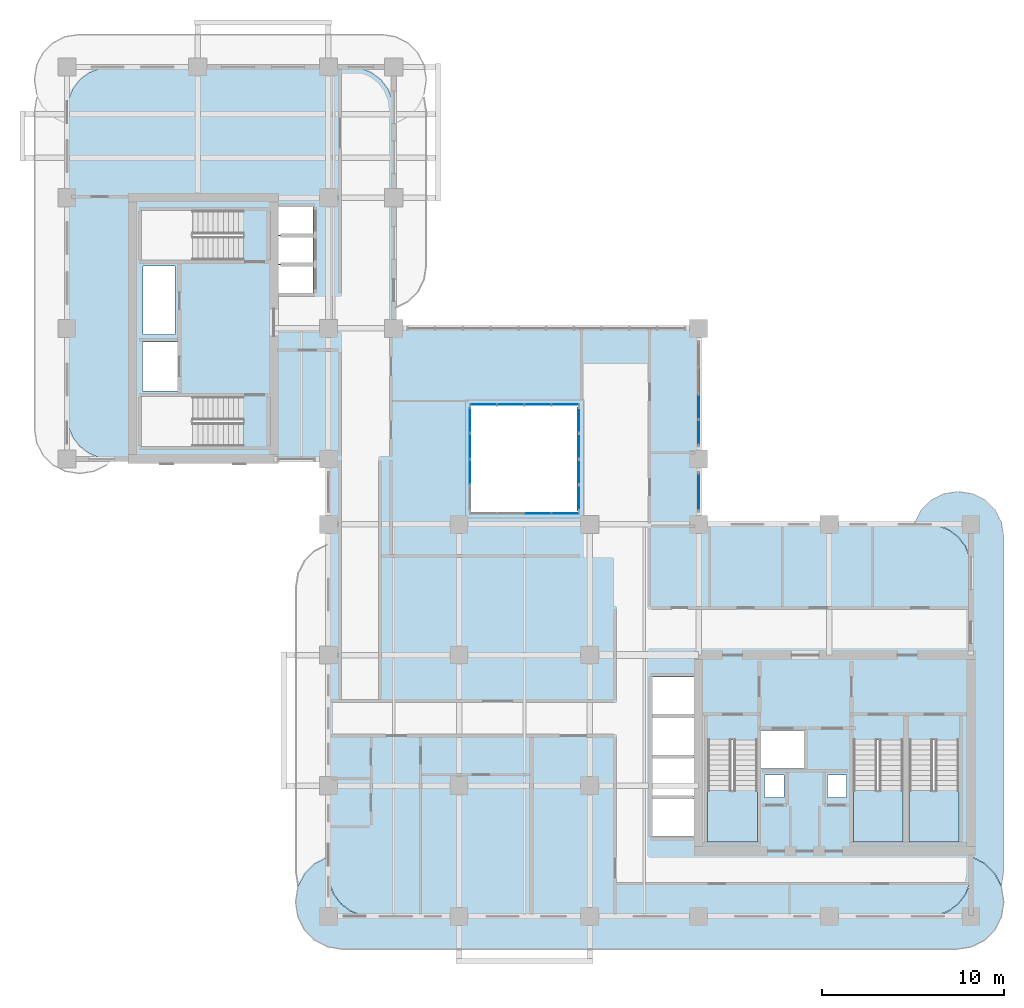
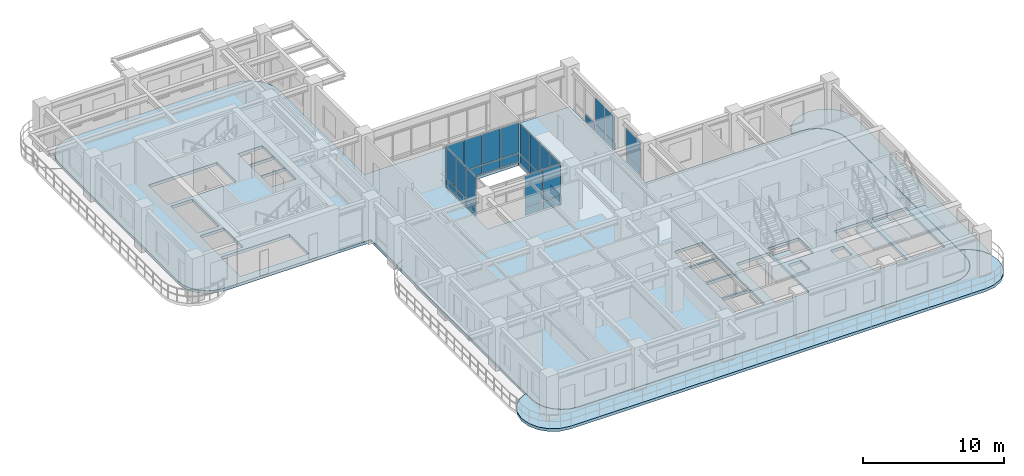
# One storey, part 9 of 19: 33 plates, 6 slabs, 9 elements without a shape of their own.
"""IFC4 building model written with IfcOpenShell, lengths in metres."""

from ifc_helpers import new_model, si_unit, derived_unit, direction, frame, origin, origin_2d, place, context, subcontext, project, spatial, polyline, rectangle, outline, extrude, source, transform, mapped, material, layer, layer_set, type_object, element, aggregate, save


model = new_model("IFC4")

# Units and contexts
model_context = context("Model", 3, precision=1e-05, world=origin(), true_north=direction((0.0, 1.0)))
body_context = subcontext(model_context, "Body", "Model", "MODEL_VIEW")
ifc_project = project(units=[si_unit("LENGTHUNIT", "METRE"), si_unit("AREAUNIT", "SQUARE_METRE"), si_unit("VOLUMEUNIT", "CUBIC_METRE"), si_unit("PLANEANGLEUNIT", "RADIAN"), si_unit("MASSUNIT", "GRAM", prefix="KILO"), si_unit("THERMODYNAMICTEMPERATUREUNIT", "KELVIN"), si_unit("POWERUNIT", "WATT"), derived_unit("THERMALTRANSMITTANCEUNIT", [(si_unit("POWERUNIT", "WATT"), 1), (si_unit("AREAUNIT", "SQUARE_METRE"), -1), (si_unit("THERMODYNAMICTEMPERATUREUNIT", "KELVIN"), -1)])], contexts=[model_context])

# Site, building, storey
site_placement = place(None, origin())
site = spatial("IfcSite", under=ifc_project, at=site_placement, CompositionType="ELEMENT")
building_placement = place(site_placement, origin())
building = spatial("IfcBuilding", under=site, at=building_placement, Name="Zahravan Archway Hotel and Residences", CompositionType="ELEMENT")
storey_placement = place(building_placement, frame((0.0, 0.0, 158.0)))
storey = spatial("IfcBuildingStorey", under=building, at=storey_placement, Name="L39", CompositionType="ELEMENT", Elevation=158.0)

# Slabs
ifc_material_1 = material(Name="Concrete C45/55", Category="concrete")
ifc_layer_1 = layer(ifc_material_1, 0.25, Name="Concrete C45/55", Category="concrete")
ifc_layer_set_1 = layer_set([ifc_layer_1], Name="Concrete C45/55")
slab_type_1 = type_object("IfcSlabType", Name="SLB-BALC-250", PredefinedType="FLOOR", material=ifc_layer_set_1)
slab_1_placement = place(storey_placement, frame((0.0, 0.0, -0.25)))
element("IfcSlab", 1, at=slab_1_placement, inside=storey, type_object=slab_type_1, Name="L39 Wing A South Rounded Balcony Band", PredefinedType="FLOOR", context=body_context, shape_type="SweptSolid", body=[
    extrude(outline(polyline([(49.837890625, 3.275146484375), (50.548828125, 2.9130859375), (51.113037109375, 2.348876953125), (51.47509765625, 1.637939453125), (51.60009765625, 0.85009765625), (51.60009765625, 0.75), (51.47509765625, -0.0380859375), (51.113037109375, -0.748779296875), (50.548828125, -1.31298828125), (49.837890625, -1.67529296875), (49.050048828125, -1.800048828125), (15.14990234375, -1.800048828125), (14.362060546875, -1.67529296875), (13.651123046875, -1.31298828125), (13.0869140625, -0.748779296875), (12.724853515625, -0.0380859375), (12.60009765625, 0.75), (12.60009765625, 0.85009765625), (12.724853515625, 1.637939453125), (13.0869140625, 2.348876953125), (13.651123046875, 2.9130859375), (14.362060546875, 3.275146484375), (14.3798828125, 3.278076171875), (14.3798828125, 2.39990234375), (14.380126953125, 2.3974609375), (14.4619140625, 1.776123046875), (14.46240234375, 1.7744140625), (14.462646484375, 1.772705078125), (14.46337890625, 1.77099609375), (14.702880859375, 1.1923828125), (14.703857421875, 1.19091796875), (14.70458984375, 1.189208984375), (14.70556640625, 1.187744140625), (15.0869140625, 0.690673828125), (15.088134765625, 0.689453125), (15.08935546875, 0.688232421875), (15.0908203125, 0.68701171875), (15.587890625, 0.3056640625), (15.58935546875, 0.3046875), (15.5908203125, 0.3037109375), (15.59228515625, 0.302978515625), (16.171142578125, 0.063232421875), (16.1728515625, 0.062744140625), (16.174560546875, 0.062255859375), (16.17626953125, 0.06201171875), (16.79736328125, -0.019775390625), (16.800048828125, -0.02001953125), (47.39990234375, -0.02001953125), (47.402587890625, -0.019775390625), (48.023681640625, 0.06201171875), (48.025390625, 0.062255859375), (48.027099609375, 0.062744140625), (48.02880859375, 0.063232421875), (48.607666015625, 0.302978515625), (48.609130859375, 0.3037109375), (48.610595703125, 0.3046875), (48.6123046875, 0.3056640625), (49.109375, 0.68701171875), (49.110595703125, 0.688232421875), (49.11181640625, 0.689453125), (49.113037109375, 0.690673828125), (49.494384765625, 1.187744140625), (49.495361328125, 1.189208984375), (49.49609375, 1.19091796875), (49.4970703125, 1.1923828125), (49.73681640625, 1.77099609375), (49.7373046875, 1.772705078125), (49.73779296875, 1.7744140625), (49.738037109375, 1.776123046875), (49.81982421875, 2.3974609375), (49.820068359375, 2.39990234375), (49.820068359375, 3.278076171875), (49.837890625, 3.275146484375)])), origin(), (0.0, 0.0, 1.0), 0.25),
])
slab_2_placement = place(storey_placement, frame((0.0, 0.0, -0.25)))
element("IfcSlab", 2, at=slab_2_placement, inside=storey, type_object=slab_type_1, Name="L39 Wing A East Rounded Balcony Band", PredefinedType="FLOOR", context=body_context, shape_type="SweptSolid", body=[
    extrude(outline(polyline([(46.719970703125, 21.70703125), (47.06787109375, 22.39013671875), (47.60986328125, 22.93212890625), (48.29296875, 23.280029296875), (49.050048828125, 23.39990234375), (49.14990234375, 23.39990234375), (49.906982421875, 23.280029296875), (50.590087890625, 22.93212890625), (51.132080078125, 22.39013671875), (51.47998046875, 21.70703125), (51.60009765625, 20.949951171875), (51.60009765625, 2.449951171875), (51.47998046875, 1.69287109375), (51.474853515625, 1.6826171875), (51.130859375, 2.35791015625), (51.1298828125, 2.35986328125), (51.12841796875, 2.361572265625), (51.127197265625, 2.363037109375), (50.56298828125, 2.927001953125), (50.5615234375, 2.928466796875), (50.559814453125, 2.9296875), (50.55810546875, 2.930908203125), (49.84716796875, 3.29296875), (49.84521484375, 3.2939453125), (49.84326171875, 3.29443359375), (49.841064453125, 3.294921875), (49.822998046875, 3.2978515625), (49.8212890625, 3.298095703125), (49.820068359375, 3.298095703125), (49.820068359375, 19.199951171875), (49.81982421875, 19.20263671875), (49.738037109375, 19.82373046875), (49.73779296875, 19.825439453125), (49.7373046875, 19.8271484375), (49.73681640625, 19.828857421875), (49.4970703125, 20.40771484375), (49.49609375, 20.4091796875), (49.495361328125, 20.41064453125), (49.494384765625, 20.412109375), (49.113037109375, 20.9091796875), (49.11181640625, 20.91064453125), (49.110595703125, 20.911865234375), (49.109375, 20.9130859375), (48.6123046875, 21.29443359375), (48.610595703125, 21.29541015625), (48.609130859375, 21.296142578125), (48.607666015625, 21.297119140625), (48.02880859375, 21.53662109375), (48.027099609375, 21.537353515625), (48.025390625, 21.53759765625), (48.023681640625, 21.5380859375), (47.402587890625, 21.619873046875), (47.39990234375, 21.6201171875), (46.7060546875, 21.6201171875), (46.719970703125, 21.70703125)])), origin(), (0.0, 0.0, 1.0), 0.25),
])
ifc_layer_2 = layer(ifc_material_1, 0.25, Name="Concrete C45/55", Category="concrete")
ifc_layer_set_2 = layer_set([ifc_layer_2], Name="Concrete C45/55")
slab_type_2 = type_object("IfcSlabType", Name="SLB-FLR-250", PredefinedType="FLOOR", material=ifc_layer_set_2)
slab_3_placement = place(storey_placement, frame((0.0, 0.0, -0.25)))
element("IfcSlab", 3, at=slab_3_placement, inside=storey, type_object=slab_type_2, Name="L39 Floor Slab LB", PredefinedType="FLOOR", context=body_context, shape_type="SweptSolid", body=[
    extrude(outline(polyline([(34.800048828125, 21.60009765625), (34.800048828125, 32.39990234375), (18.0, 32.39990234375), (18.0, 44.39990234375), (17.918212890625, 45.021240234375), (17.678466796875, 45.60009765625), (17.297119140625, 46.09716796875), (16.800048828125, 46.478515625), (16.22119140625, 46.71826171875), (15.60009765625, 46.800048828125), (2.39990234375, 46.800048828125), (1.77880859375, 46.71826171875), (1.199951171875, 46.478515625), (0.702880859375, 46.09716796875), (0.321533203125, 45.60009765625), (0.081787109375, 45.021240234375), (0.0, 44.39990234375), (0.0, 27.60009765625), (0.081787109375, 26.978759765625), (0.321533203125, 26.39990234375), (0.702880859375, 25.90283203125), (1.199951171875, 25.521484375), (1.77880859375, 25.28173828125), (2.39990234375, 25.199951171875), (14.39990234375, 25.199951171875), (14.39990234375, 19.199951171875), (14.39990234375, 19.10009765625), (14.39990234375, 2.39990234375), (14.481689453125, 1.77880859375), (14.721435546875, 1.199951171875), (15.102783203125, 0.702880859375), (15.60009765625, 0.321533203125), (16.1787109375, 0.081787109375), (16.800048828125, 0.0), (47.39990234375, 0.0), (48.021240234375, 0.081787109375), (48.60009765625, 0.321533203125), (49.09716796875, 0.702880859375), (49.478515625, 1.199951171875), (49.71826171875, 1.77880859375), (49.800048828125, 2.39990234375), (49.800048828125, 19.199951171875), (49.71826171875, 19.8212890625), (49.478515625, 20.39990234375), (49.09716796875, 20.897216796875), (48.60009765625, 21.278564453125), (48.021240234375, 21.518310546875), (47.39990234375, 21.60009765625), (34.800048828125, 21.60009765625)]), holes=[polyline([(35.300048828125, 9.72998046875), (35.300048828125, 4.10009765625), (38.0400390625, 4.10009765625), (38.0400390625, 9.72998046875), (35.300048828125, 9.72998046875)]), polyline([(43.320068359375, 9.72998046875), (43.320068359375, 4.10009765625), (46.06005859375, 4.10009765625), (46.06005859375, 9.72998046875), (43.320068359375, 9.72998046875)]), polyline([(46.39990234375, 9.72998046875), (46.39990234375, 4.10009765625), (49.139892578125, 4.10009765625), (49.139892578125, 9.72998046875), (46.39990234375, 9.72998046875)]), polyline([(9.72998046875, 28.639892578125), (4.10009765625, 28.639892578125), (4.10009765625, 25.89990234375), (9.72998046875, 25.89990234375), (9.72998046875, 28.639892578125)]), polyline([(9.72998046875, 38.89990234375), (4.10009765625, 38.89990234375), (4.10009765625, 36.159912109375), (9.72998046875, 36.159912109375), (9.72998046875, 38.89990234375)]), polyline([(38.179931640625, 8.14990234375), (40.699951171875, 8.14990234375), (40.699951171875, 10.25), (38.179931640625, 10.25), (38.179931640625, 8.14990234375)]), polyline([(4.14990234375, 28.949951171875), (6.10009765625, 28.949951171875), (6.10009765625, 31.64990234375), (4.14990234375, 31.64990234375), (4.14990234375, 28.949951171875)]), polyline([(11.550048828125, 34.35009765625), (13.550048828125, 34.35009765625), (13.550048828125, 35.889892578125), (11.550048828125, 35.889892578125), (11.550048828125, 34.35009765625)]), polyline([(11.550048828125, 35.949951171875), (13.550048828125, 35.949951171875), (13.550048828125, 37.489990234375), (11.550048828125, 37.489990234375), (11.550048828125, 35.949951171875)]), polyline([(11.550048828125, 37.550048828125), (13.550048828125, 37.550048828125), (13.550048828125, 39.090087890625), (11.550048828125, 39.090087890625), (11.550048828125, 37.550048828125)]), polyline([(32.25, 4.39990234375), (34.550048828125, 4.39990234375), (34.550048828125, 6.47998046875), (32.25, 6.47998046875), (32.25, 4.39990234375)]), polyline([(32.25, 6.639892578125), (34.550048828125, 6.639892578125), (34.550048828125, 8.719970703125), (32.25, 8.719970703125), (32.25, 6.639892578125)]), polyline([(32.25, 8.8798828125), (34.550048828125, 8.8798828125), (34.550048828125, 10.9599609375), (32.25, 10.9599609375), (32.25, 8.8798828125)]), polyline([(32.25, 11.1201171875), (34.550048828125, 11.1201171875), (34.550048828125, 13.199951171875), (32.25, 13.199951171875), (32.25, 11.1201171875)]), polyline([(22.199951171875, 22.199951171875), (28.199951171875, 22.199951171875), (28.199951171875, 28.199951171875), (22.199951171875, 28.199951171875), (22.199951171875, 22.199951171875)]), polyline([(38.419921875, 6.56005859375), (39.5, 6.56005859375), (39.5, 7.780029296875), (38.419921875, 7.780029296875), (38.419921875, 6.56005859375)]), polyline([(41.89990234375, 6.56005859375), (42.9599609375, 6.56005859375), (42.9599609375, 7.780029296875), (41.89990234375, 7.780029296875), (41.89990234375, 6.56005859375)]), polyline([(4.179931640625, 32.050048828125), (5.93994140625, 32.050048828125), (5.93994140625, 35.840087890625), (4.179931640625, 35.840087890625), (4.179931640625, 32.050048828125)])]), origin(), (0.0, 0.0, 1.0), 0.25),
])

# Stair, slab
ifc_material_2 = material(Name="Concrete C50/60", Category="concrete")
stair_type = type_object("IfcStairType", Name="STR-CORE-1300", PredefinedType="HALF_TURN_STAIR", material=ifc_material_2)
stair_1_placement = place(storey_placement, origin())
stair_1 = element("IfcStair", 4, at=stair_1_placement, inside=storey, type_object=stair_type, Name="L39 Core A Exit Stair 1", PredefinedType="HALF_TURN_STAIR")
ifc_layer_3 = layer(ifc_material_2, 0.199951171875, Name="Concrete C50/60", Category="concrete")
ifc_layer_set_3 = layer_set([ifc_layer_3], Name="Concrete C50/60")
slab_type_3 = type_object("IfcSlabType", Name="SLB-LND-200", PredefinedType="LANDING", material=ifc_layer_set_3)
slab_4_placement = place(storey_placement, frame((0.0, 0.0, 1.72509765625)))
slab_4 = element("IfcSlab", 5, at=slab_4_placement, type_object=slab_type_3, Name="ST-A1 landing 1", PredefinedType="LANDING", context=body_context, shape_type="SweptSolid", body=[
    extrude(outline(polyline([(35.300048828125, 6.929931640625), (35.300048828125, 4.10009765625), (38.0400390625, 4.10009765625), (38.0400390625, 6.929931640625), (35.300048828125, 6.929931640625)])), origin(), (0.0, 0.0, 1.0), 0.199951171875),
])
aggregate(stair_1, [slab_4])

stair_2_placement = place(storey_placement, origin())
stair_2 = element("IfcStair", 6, at=stair_2_placement, inside=storey, type_object=stair_type, Name="L39 Core A Exit Stair 2", PredefinedType="HALF_TURN_STAIR")
slab_5_placement = place(storey_placement, frame((0.0, 0.0, 1.72509765625)))
slab_5 = element("IfcSlab", 7, at=slab_5_placement, type_object=slab_type_3, Name="ST-A2 landing 1", PredefinedType="LANDING", context=body_context, shape_type="SweptSolid", body=[
    extrude(outline(polyline([(43.320068359375, 6.929931640625), (43.320068359375, 4.10009765625), (46.06005859375, 4.10009765625), (46.06005859375, 6.929931640625), (43.320068359375, 6.929931640625)])), origin(), (0.0, 0.0, 1.0), 0.199951171875),
])
aggregate(stair_2, [slab_5])

stair_3_placement = place(storey_placement, origin())
stair_3 = element("IfcStair", 8, at=stair_3_placement, inside=storey, type_object=stair_type, Name="L39 Core A Exit Stair 3", PredefinedType="HALF_TURN_STAIR")
slab_6_placement = place(storey_placement, frame((0.0, 0.0, 1.72509765625)))
slab_6 = element("IfcSlab", 9, at=slab_6_placement, type_object=slab_type_3, Name="ST-A3 landing 1", PredefinedType="LANDING", context=body_context, shape_type="SweptSolid", body=[
    extrude(outline(polyline([(46.39990234375, 6.929931640625), (46.39990234375, 4.10009765625), (49.139892578125, 4.10009765625), (49.139892578125, 6.929931640625), (46.39990234375, 6.929931640625)])), origin(), (0.0, 0.0, 1.0), 0.199951171875),
])
aggregate(stair_3, [slab_6])

# Curtain wall, plates
ifc_material_3 = material(Name="Bronze-Anodized Unitised Aluminium & Low-E Glass", Category="aluminium")
ifc_layer_4 = layer(ifc_material_3, 0.179931640625, Name="Bronze-Anodized Unitised Aluminium & Low-E Glass", Category="aluminium")
ifc_layer_set_4 = layer_set([ifc_layer_4], Name="Bronze-Anodized Unitised Aluminium & Low-E Glass")
curtain_wall_type = type_object("IfcCurtainWallType", Name="CW-ATR-GLAZ", PredefinedType="NOTDEFINED", material=ifc_layer_set_4)
curtain_wall_1_placement = place(storey_placement, origin())
curtain_wall_1 = element("IfcCurtainWall", 10, at=curtain_wall_1_placement, inside=storey, type_object=curtain_wall_type, Name="L39 Curtain Wall CW-ATR-L39-S-1", PredefinedType="NOTDEFINED")
ifc_material_4 = material(Name="Insulated Terracotta Spandrel Panel", Category="masonry")
ifc_layer_5 = layer(ifc_material_4, 0.0400390625, Name="Insulated Terracotta Spandrel Panel", Category="masonry")
ifc_layer_set_5 = layer_set([ifc_layer_5], Name="Insulated Terracotta Spandrel Panel")
plate_type_1 = type_object("IfcPlateType", Name="CWP-SPN-40", PredefinedType="SHEET", material=ifc_layer_set_5)
shared_shape_1 = source(origin(), body_context, "Body", "SweptSolid", [
    extrude(rectangle(XDim=1.419921875, YDim=0.0400390625, at=origin_2d()), origin(), (0.0, 0.0, 1.0), 0.7099609375),
])
plate_1_placement = place(storey_placement, frame((25.949951171875, 22.199951171875, 0.10009765625), z_axis=(0.0, 0.0, 1.0), x_axis=(1.0, 0.0, 0.0)))
plate_1 = element("IfcPlate", 11, at=plate_1_placement, type_object=plate_type_1, Name="CW-ATR-L39-S-1 Spandrel Panel 2", PredefinedType="SHEET", context=body_context, shape_type="MappedRepresentation", body=[
    mapped(shared_shape_1, transform((0.0, 0.0, 0.0), scale=1.0)),
])
plate_2_placement = place(storey_placement, frame((27.449951171875, 22.199951171875, 0.10009765625), z_axis=(0.0, 0.0, 1.0), x_axis=(1.0, 0.0, 0.0)))
plate_2 = element("IfcPlate", 12, at=plate_2_placement, type_object=plate_type_1, Name="CW-ATR-L39-S-1 Spandrel Panel 3", PredefinedType="SHEET", context=body_context, shape_type="MappedRepresentation", body=[
    mapped(shared_shape_1, transform((0.0, 0.0, 0.0), scale=1.0)),
])

curtain_wall_2_placement = place(storey_placement, origin())
curtain_wall_2 = element("IfcCurtainWall", 13, at=curtain_wall_2_placement, inside=storey, type_object=curtain_wall_type, Name="L39 Curtain Wall CW-ATR-L39-N-1", PredefinedType="NOTDEFINED")
plate_3_placement = place(storey_placement, frame((22.949951171875, 28.199951171875, 0.10009765625), z_axis=(0.0, 0.0, 1.0), x_axis=(1.0, 0.0, 0.0)))
plate_3 = element("IfcPlate", 14, at=plate_3_placement, type_object=plate_type_1, Name="CW-ATR-L39-N-1 Spandrel Panel 0", PredefinedType="SHEET", context=body_context, shape_type="MappedRepresentation", body=[
    mapped(shared_shape_1, transform((0.0, 0.0, 0.0), scale=1.0)),
])
plate_4_placement = place(storey_placement, frame((24.449951171875, 28.199951171875, 0.10009765625), z_axis=(0.0, 0.0, 1.0), x_axis=(1.0, 0.0, 0.0)))
plate_4 = element("IfcPlate", 15, at=plate_4_placement, type_object=plate_type_1, Name="CW-ATR-L39-N-1 Spandrel Panel 1", PredefinedType="SHEET", context=body_context, shape_type="MappedRepresentation", body=[
    mapped(shared_shape_1, transform((0.0, 0.0, 0.0), scale=1.0)),
])
plate_5_placement = place(storey_placement, frame((25.949951171875, 28.199951171875, 0.10009765625), z_axis=(0.0, 0.0, 1.0), x_axis=(1.0, 0.0, 0.0)))
plate_5 = element("IfcPlate", 16, at=plate_5_placement, type_object=plate_type_1, Name="CW-ATR-L39-N-1 Spandrel Panel 2", PredefinedType="SHEET", context=body_context, shape_type="MappedRepresentation", body=[
    mapped(shared_shape_1, transform((0.0, 0.0, 0.0), scale=1.0)),
])
plate_6_placement = place(storey_placement, frame((27.449951171875, 28.199951171875, 0.10009765625), z_axis=(0.0, 0.0, 1.0), x_axis=(1.0, 0.0, 0.0)))
plate_6 = element("IfcPlate", 17, at=plate_6_placement, type_object=plate_type_1, Name="CW-ATR-L39-N-1 Spandrel Panel 3", PredefinedType="SHEET", context=body_context, shape_type="MappedRepresentation", body=[
    mapped(shared_shape_1, transform((0.0, 0.0, 0.0), scale=1.0)),
])

curtain_wall_3_placement = place(storey_placement, origin())
curtain_wall_3 = element("IfcCurtainWall", 18, at=curtain_wall_3_placement, inside=storey, type_object=curtain_wall_type, Name="L39 Curtain Wall CW-ATR-L39-W-1", PredefinedType="NOTDEFINED")
shared_shape_2 = source(origin(), body_context, "Body", "SweptSolid", [
    extrude(rectangle(XDim=1.344970703125, YDim=0.0400390625, at=origin_2d()), origin(), (0.0, 0.0, 1.0), 0.7099609375),
])
plate_7_placement = place(storey_placement, frame((22.199951171875, 24.487548828125, 0.10009765625), z_axis=(0.0, 0.0, 1.0), x_axis=(0.0, 1.0, 0.0)))
plate_7 = element("IfcPlate", 19, at=plate_7_placement, type_object=plate_type_1, Name="CW-ATR-L39-W-1 Spandrel Panel 1", PredefinedType="SHEET", context=body_context, shape_type="MappedRepresentation", body=[
    mapped(shared_shape_2, transform((0.0, 0.0, 0.0), scale=1.0)),
])
plate_8_placement = place(storey_placement, frame((22.199951171875, 25.91259765625, 0.10009765625), z_axis=(0.0, 0.0, 1.0), x_axis=(0.0, 1.0, 0.0)))
plate_8 = element("IfcPlate", 20, at=plate_8_placement, type_object=plate_type_1, Name="CW-ATR-L39-W-1 Spandrel Panel 2", PredefinedType="SHEET", context=body_context, shape_type="MappedRepresentation", body=[
    mapped(shared_shape_2, transform((0.0, 0.0, 0.0), scale=1.0)),
])
plate_9_placement = place(storey_placement, frame((22.199951171875, 27.33740234375, 0.10009765625), z_axis=(0.0, 0.0, 1.0), x_axis=(0.0, 1.0, 0.0)))
plate_9 = element("IfcPlate", 21, at=plate_9_placement, type_object=plate_type_1, Name="CW-ATR-L39-W-1 Spandrel Panel 3", PredefinedType="SHEET", context=body_context, shape_type="MappedRepresentation", body=[
    mapped(shared_shape_2, transform((0.0, 0.0, 0.0), scale=1.0)),
])

curtain_wall_4_placement = place(storey_placement, origin())
curtain_wall_4 = element("IfcCurtainWall", 22, at=curtain_wall_4_placement, inside=storey, type_object=curtain_wall_type, Name="L39 Curtain Wall CW-ATR-L39-E-1", PredefinedType="NOTDEFINED")
plate_10_placement = place(storey_placement, frame((28.199951171875, 23.0625, 0.10009765625), z_axis=(0.0, 0.0, 1.0), x_axis=(0.0, 1.0, 0.0)))
plate_10 = element("IfcPlate", 23, at=plate_10_placement, type_object=plate_type_1, Name="CW-ATR-L39-E-1 Spandrel Panel 0", PredefinedType="SHEET", context=body_context, shape_type="MappedRepresentation", body=[
    mapped(shared_shape_2, transform((0.0, 0.0, 0.0), scale=1.0)),
])
plate_11_placement = place(storey_placement, frame((28.199951171875, 24.487548828125, 0.10009765625), z_axis=(0.0, 0.0, 1.0), x_axis=(0.0, 1.0, 0.0)))
plate_11 = element("IfcPlate", 24, at=plate_11_placement, type_object=plate_type_1, Name="CW-ATR-L39-E-1 Spandrel Panel 1", PredefinedType="SHEET", context=body_context, shape_type="MappedRepresentation", body=[
    mapped(shared_shape_2, transform((0.0, 0.0, 0.0), scale=1.0)),
])
plate_12_placement = place(storey_placement, frame((28.199951171875, 25.91259765625, 0.10009765625), z_axis=(0.0, 0.0, 1.0), x_axis=(0.0, 1.0, 0.0)))
plate_12 = element("IfcPlate", 25, at=plate_12_placement, type_object=plate_type_1, Name="CW-ATR-L39-E-1 Spandrel Panel 2", PredefinedType="SHEET", context=body_context, shape_type="MappedRepresentation", body=[
    mapped(shared_shape_2, transform((0.0, 0.0, 0.0), scale=1.0)),
])
plate_13_placement = place(storey_placement, frame((28.199951171875, 27.33740234375, 0.10009765625), z_axis=(0.0, 0.0, 1.0), x_axis=(0.0, 1.0, 0.0)))
plate_13 = element("IfcPlate", 26, at=plate_13_placement, type_object=plate_type_1, Name="CW-ATR-L39-E-1 Spandrel Panel 3", PredefinedType="SHEET", context=body_context, shape_type="MappedRepresentation", body=[
    mapped(shared_shape_2, transform((0.0, 0.0, 0.0), scale=1.0)),
])

curtain_wall_5_placement = place(storey_placement, origin())
curtain_wall_5 = element("IfcCurtainWall", 27, at=curtain_wall_5_placement, inside=storey, type_object=curtain_wall_type, Name="L39 Curtain Wall CW-L39-HNG-E-1", PredefinedType="NOTDEFINED")
shared_shape_3 = source(origin(), body_context, "Body", "SweptSolid", [
    extrude(rectangle(XDim=2.0, YDim=0.0400390625, at=origin_2d()), origin(), (0.0, 0.0, 1.0), 0.600341796875),
])
plate_14_placement = place(storey_placement, frame((34.800048828125, 23.39990234375, 0.10009765625), z_axis=(0.0, 0.0, 1.0), x_axis=(0.0, 1.0, 0.0)))
plate_14 = element("IfcPlate", 28, at=plate_14_placement, type_object=plate_type_1, Name="CW-L39-HNG-E-1 Spandrel Panel 0", PredefinedType="SHEET", context=body_context, shape_type="MappedRepresentation", body=[
    mapped(shared_shape_3, transform((0.0, 0.0, 0.0), scale=1.0)),
])
ifc_material_5 = material(Name="Double-Silver Low-E Insulated Vision Glass", Category="glass")
ifc_layer_6 = layer(ifc_material_5, 0.028076171875, Name="Double-Silver Low-E Insulated Vision Glass", Category="glass")
ifc_layer_set_6 = layer_set([ifc_layer_6], Name="Double-Silver Low-E Insulated Vision Glass")
plate_type_2 = type_object("IfcPlateType", Name="CWP-GLZ-28", PredefinedType="CURTAIN_PANEL", material=ifc_layer_set_6)
shared_shape_4 = source(origin(), body_context, "Body", "SweptSolid", [
    extrude(rectangle(XDim=2.0, YDim=0.028076171875, at=origin_2d()), origin(), (0.0, 0.0, 1.0), 2.20458984375),
])
plate_15_placement = place(storey_placement, frame((34.800048828125, 23.39990234375, 0.780517578125), z_axis=(0.0, 0.0, 1.0), x_axis=(0.0, 1.0, 0.0)))
plate_15 = element("IfcPlate", 29, at=plate_15_placement, type_object=plate_type_2, Name="CW-L39-HNG-E-1 Low-E Vision Panel 0", PredefinedType="CURTAIN_PANEL", context=body_context, shape_type="MappedRepresentation", body=[
    mapped(shared_shape_4, transform((0.0, 0.0, 0.0), scale=1.0)),
])
aggregate(curtain_wall_5, [plate_14, plate_15])

curtain_wall_6_placement = place(storey_placement, origin())
curtain_wall_6 = element("IfcCurtainWall", 30, at=curtain_wall_6_placement, inside=storey, type_object=curtain_wall_type, Name="L39 Curtain Wall CW-L39-HNG-E-2", PredefinedType="NOTDEFINED")
shared_shape_5 = source(origin(), body_context, "Body", "SweptSolid", [
    extrude(rectangle(XDim=1.340087890625, YDim=0.0400390625, at=origin_2d()), origin(), (0.0, 0.0, 1.0), 0.600341796875),
])
plate_16_placement = place(storey_placement, frame((34.800048828125, 26.669921875, 0.10009765625), z_axis=(0.0, 0.0, 1.0), x_axis=(0.0, 1.0, 0.0)))
plate_16 = element("IfcPlate", 31, at=plate_16_placement, type_object=plate_type_1, Name="CW-L39-HNG-E-2 Spandrel Panel 0", PredefinedType="SHEET", context=body_context, shape_type="MappedRepresentation", body=[
    mapped(shared_shape_5, transform((0.0, 0.0, 0.0), scale=1.0)),
])
plate_17_placement = place(storey_placement, frame((34.800048828125, 28.090087890625, 0.10009765625), z_axis=(0.0, 0.0, 1.0), x_axis=(0.0, 1.0, 0.0)))
plate_17 = element("IfcPlate", 32, at=plate_17_placement, type_object=plate_type_1, Name="CW-L39-HNG-E-2 Spandrel Panel 1", PredefinedType="SHEET", context=body_context, shape_type="MappedRepresentation", body=[
    mapped(shared_shape_5, transform((0.0, 0.0, 0.0), scale=1.0)),
])
plate_18_placement = place(storey_placement, frame((34.800048828125, 29.510009765625, 0.10009765625), z_axis=(0.0, 0.0, 1.0), x_axis=(0.0, 1.0, 0.0)))
plate_18 = element("IfcPlate", 33, at=plate_18_placement, type_object=plate_type_1, Name="CW-L39-HNG-E-2 Spandrel Panel 2", PredefinedType="SHEET", context=body_context, shape_type="MappedRepresentation", body=[
    mapped(shared_shape_5, transform((0.0, 0.0, 0.0), scale=1.0)),
])
shared_shape_6 = source(origin(), body_context, "Body", "SweptSolid", [
    extrude(rectangle(XDim=1.340087890625, YDim=0.028076171875, at=origin_2d()), origin(), (0.0, 0.0, 1.0), 2.20458984375),
])
plate_19_placement = place(storey_placement, frame((34.800048828125, 26.669921875, 0.780517578125), z_axis=(0.0, 0.0, 1.0), x_axis=(0.0, 1.0, 0.0)))
plate_19 = element("IfcPlate", 34, at=plate_19_placement, type_object=plate_type_2, Name="CW-L39-HNG-E-2 Low-E Vision Panel 0", PredefinedType="CURTAIN_PANEL", context=body_context, shape_type="MappedRepresentation", body=[
    mapped(shared_shape_6, transform((0.0, 0.0, 0.0), scale=1.0)),
])
plate_20_placement = place(storey_placement, frame((34.800048828125, 28.090087890625, 0.780517578125), z_axis=(0.0, 0.0, 1.0), x_axis=(0.0, 1.0, 0.0)))
plate_20 = element("IfcPlate", 35, at=plate_20_placement, type_object=plate_type_2, Name="CW-L39-HNG-E-2 Low-E Vision Panel 1", PredefinedType="CURTAIN_PANEL", context=body_context, shape_type="MappedRepresentation", body=[
    mapped(shared_shape_6, transform((0.0, 0.0, 0.0), scale=1.0)),
])
aggregate(curtain_wall_6, [plate_16, plate_19, plate_17, plate_20, plate_18])

# Plate
shared_shape_7 = source(origin(), body_context, "Body", "SweptSolid", [
    extrude(rectangle(XDim=1.419921875, YDim=0.028076171875, at=origin_2d()), origin(), (0.0, 0.0, 1.0), 2.610107421875),
])
plate_21_placement = place(storey_placement, frame((25.949951171875, 22.199951171875, 0.89013671875), z_axis=(0.0, 0.0, 1.0), x_axis=(1.0, 0.0, 0.0)))
plate_21 = element("IfcPlate", 36, at=plate_21_placement, type_object=plate_type_2, Name="CW-ATR-L39-S-1 Low-E Vision Panel 2", PredefinedType="CURTAIN_PANEL", context=body_context, shape_type="MappedRepresentation", body=[
    mapped(shared_shape_7, transform((0.0, 0.0, 0.0), scale=1.0)),
])

plate_22_placement = place(storey_placement, frame((27.449951171875, 22.199951171875, 0.89013671875), z_axis=(0.0, 0.0, 1.0), x_axis=(1.0, 0.0, 0.0)))
plate_22 = element("IfcPlate", 37, at=plate_22_placement, type_object=plate_type_2, Name="CW-ATR-L39-S-1 Low-E Vision Panel 3", PredefinedType="CURTAIN_PANEL", context=body_context, shape_type="MappedRepresentation", body=[
    mapped(shared_shape_7, transform((0.0, 0.0, 0.0), scale=1.0)),
])

aggregate(curtain_wall_1, [plate_1, plate_21, plate_2, plate_22])

plate_23_placement = place(storey_placement, frame((22.949951171875, 28.199951171875, 0.89013671875), z_axis=(0.0, 0.0, 1.0), x_axis=(1.0, 0.0, 0.0)))
plate_23 = element("IfcPlate", 38, at=plate_23_placement, type_object=plate_type_2, Name="CW-ATR-L39-N-1 Low-E Vision Panel 0", PredefinedType="CURTAIN_PANEL", context=body_context, shape_type="MappedRepresentation", body=[
    mapped(shared_shape_7, transform((0.0, 0.0, 0.0), scale=1.0)),
])

plate_24_placement = place(storey_placement, frame((24.449951171875, 28.199951171875, 0.89013671875), z_axis=(0.0, 0.0, 1.0), x_axis=(1.0, 0.0, 0.0)))
plate_24 = element("IfcPlate", 39, at=plate_24_placement, type_object=plate_type_2, Name="CW-ATR-L39-N-1 Low-E Vision Panel 1", PredefinedType="CURTAIN_PANEL", context=body_context, shape_type="MappedRepresentation", body=[
    mapped(shared_shape_7, transform((0.0, 0.0, 0.0), scale=1.0)),
])

plate_25_placement = place(storey_placement, frame((25.949951171875, 28.199951171875, 0.89013671875), z_axis=(0.0, 0.0, 1.0), x_axis=(1.0, 0.0, 0.0)))
plate_25 = element("IfcPlate", 40, at=plate_25_placement, type_object=plate_type_2, Name="CW-ATR-L39-N-1 Low-E Vision Panel 2", PredefinedType="CURTAIN_PANEL", context=body_context, shape_type="MappedRepresentation", body=[
    mapped(shared_shape_7, transform((0.0, 0.0, 0.0), scale=1.0)),
])

plate_26_placement = place(storey_placement, frame((27.449951171875, 28.199951171875, 0.89013671875), z_axis=(0.0, 0.0, 1.0), x_axis=(1.0, 0.0, 0.0)))
plate_26 = element("IfcPlate", 41, at=plate_26_placement, type_object=plate_type_2, Name="CW-ATR-L39-N-1 Low-E Vision Panel 3", PredefinedType="CURTAIN_PANEL", context=body_context, shape_type="MappedRepresentation", body=[
    mapped(shared_shape_7, transform((0.0, 0.0, 0.0), scale=1.0)),
])

aggregate(curtain_wall_2, [plate_3, plate_23, plate_4, plate_24, plate_5, plate_25, plate_6, plate_26])

shared_shape_8 = source(origin(), body_context, "Body", "SweptSolid", [
    extrude(rectangle(XDim=1.344970703125, YDim=0.028076171875, at=origin_2d()), origin(), (0.0, 0.0, 1.0), 2.610107421875),
])
plate_27_placement = place(storey_placement, frame((22.199951171875, 24.487548828125, 0.89013671875), z_axis=(0.0, 0.0, 1.0), x_axis=(0.0, 1.0, 0.0)))
plate_27 = element("IfcPlate", 42, at=plate_27_placement, type_object=plate_type_2, Name="CW-ATR-L39-W-1 Low-E Vision Panel 1", PredefinedType="CURTAIN_PANEL", context=body_context, shape_type="MappedRepresentation", body=[
    mapped(shared_shape_8, transform((0.0, 0.0, 0.0), scale=1.0)),
])

plate_28_placement = place(storey_placement, frame((22.199951171875, 25.91259765625, 0.89013671875), z_axis=(0.0, 0.0, 1.0), x_axis=(0.0, 1.0, 0.0)))
plate_28 = element("IfcPlate", 43, at=plate_28_placement, type_object=plate_type_2, Name="CW-ATR-L39-W-1 Low-E Vision Panel 2", PredefinedType="CURTAIN_PANEL", context=body_context, shape_type="MappedRepresentation", body=[
    mapped(shared_shape_8, transform((0.0, 0.0, 0.0), scale=1.0)),
])

plate_29_placement = place(storey_placement, frame((22.199951171875, 27.33740234375, 0.89013671875), z_axis=(0.0, 0.0, 1.0), x_axis=(0.0, 1.0, 0.0)))
plate_29 = element("IfcPlate", 44, at=plate_29_placement, type_object=plate_type_2, Name="CW-ATR-L39-W-1 Low-E Vision Panel 3", PredefinedType="CURTAIN_PANEL", context=body_context, shape_type="MappedRepresentation", body=[
    mapped(shared_shape_8, transform((0.0, 0.0, 0.0), scale=1.0)),
])

aggregate(curtain_wall_3, [plate_7, plate_27, plate_8, plate_28, plate_9, plate_29])

plate_30_placement = place(storey_placement, frame((28.199951171875, 23.0625, 0.89013671875), z_axis=(0.0, 0.0, 1.0), x_axis=(0.0, 1.0, 0.0)))
plate_30 = element("IfcPlate", 45, at=plate_30_placement, type_object=plate_type_2, Name="CW-ATR-L39-E-1 Low-E Vision Panel 0", PredefinedType="CURTAIN_PANEL", context=body_context, shape_type="MappedRepresentation", body=[
    mapped(shared_shape_8, transform((0.0, 0.0, 0.0), scale=1.0)),
])

plate_31_placement = place(storey_placement, frame((28.199951171875, 24.487548828125, 0.89013671875), z_axis=(0.0, 0.0, 1.0), x_axis=(0.0, 1.0, 0.0)))
plate_31 = element("IfcPlate", 46, at=plate_31_placement, type_object=plate_type_2, Name="CW-ATR-L39-E-1 Low-E Vision Panel 1", PredefinedType="CURTAIN_PANEL", context=body_context, shape_type="MappedRepresentation", body=[
    mapped(shared_shape_8, transform((0.0, 0.0, 0.0), scale=1.0)),
])

plate_32_placement = place(storey_placement, frame((28.199951171875, 25.91259765625, 0.89013671875), z_axis=(0.0, 0.0, 1.0), x_axis=(0.0, 1.0, 0.0)))
plate_32 = element("IfcPlate", 47, at=plate_32_placement, type_object=plate_type_2, Name="CW-ATR-L39-E-1 Low-E Vision Panel 2", PredefinedType="CURTAIN_PANEL", context=body_context, shape_type="MappedRepresentation", body=[
    mapped(shared_shape_8, transform((0.0, 0.0, 0.0), scale=1.0)),
])

plate_33_placement = place(storey_placement, frame((28.199951171875, 27.33740234375, 0.89013671875), z_axis=(0.0, 0.0, 1.0), x_axis=(0.0, 1.0, 0.0)))
plate_33 = element("IfcPlate", 48, at=plate_33_placement, type_object=plate_type_2, Name="CW-ATR-L39-E-1 Low-E Vision Panel 3", PredefinedType="CURTAIN_PANEL", context=body_context, shape_type="MappedRepresentation", body=[
    mapped(shared_shape_8, transform((0.0, 0.0, 0.0), scale=1.0)),
])

aggregate(curtain_wall_4, [plate_10, plate_30, plate_11, plate_31, plate_12, plate_32, plate_13, plate_33])

save(model, "model.ifc")
